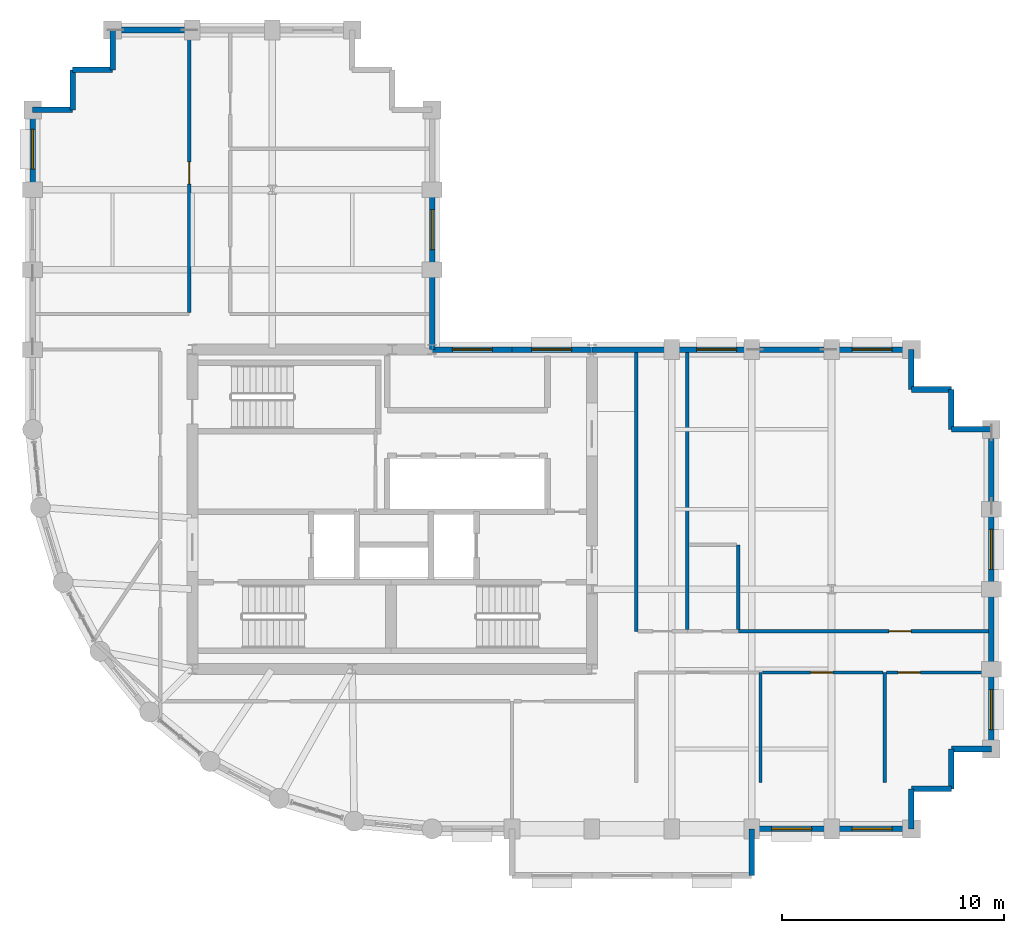
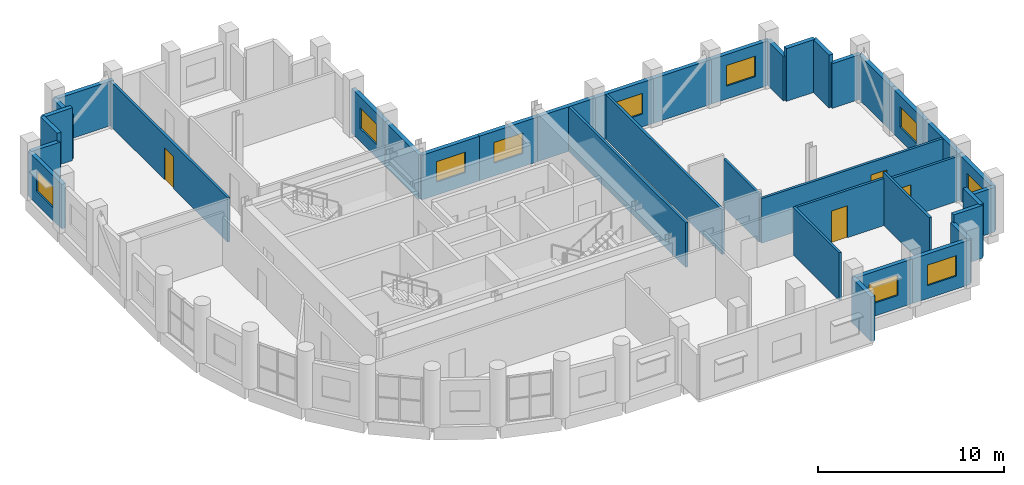
# One storey, part 8 of 11: 38 walls, 10 windows, 4 doors, 14 openings.
"""IFC4 building model written with IfcOpenShell, lengths in metres."""

from ifc_helpers import new_model, si_unit, direction, frame, frame_2d, origin, place, context, subcontext, project, spatial, rectangle, extrude, material, layer, layer_set, type_object, element, fill, save


model = new_model("IFC4")

# Units and contexts
model_context = context("Model", 3, precision=1e-05, world=origin(), true_north=direction((0.0, 1.0)))
body_context = subcontext(model_context, "Body", "Model", "MODEL_VIEW")
ifc_project = project(units=[si_unit("LENGTHUNIT", "METRE"), si_unit("AREAUNIT", "SQUARE_METRE"), si_unit("VOLUMEUNIT", "CUBIC_METRE"), si_unit("PLANEANGLEUNIT", "RADIAN"), si_unit("MASSUNIT", "GRAM", prefix="KILO")], contexts=[model_context])

# Site, building, storey
site_placement = place(None, origin())
site = spatial("IfcSite", under=ifc_project, at=site_placement, CompositionType="ELEMENT")
building_placement = place(site_placement, origin())
building = spatial("IfcBuilding", under=site, at=building_placement, Name="Solnavia Interchange Tower", CompositionType="ELEMENT")
storey_placement = place(building_placement, frame((0.0, 0.0, 205.199951171875)))
storey = spatial("IfcBuildingStorey", under=building, at=storey_placement, Name="L51", CompositionType="ELEMENT", Elevation=205.199951171875)

# Wall
ifc_material_1 = material(Name="Concrete C40/50", Category="concrete")
ifc_layer_1 = layer(ifc_material_1, 0.25)
ifc_layer_set_1 = layer_set([ifc_layer_1], Name="Concrete C40/50")
wall_type_1 = type_object("IfcWallType", Name="Wall-ExtSpandrel-250", PredefinedType="STANDARD", material=ifc_layer_set_1)
wall_1_placement = place(storey_placement, frame((39.60009765625, 3.60009765625, 0.0), z_axis=(0.0, 0.0, 1.0), x_axis=(0.0, -1.0, 0.0)))
element("IfcWall", 1, at=wall_1_placement, inside=storey, type_object=wall_type_1, Name="EXW-L51-06 Exterior precast spandrel wall", PredefinedType="STANDARD", context=body_context, shape_type="SweptSolid", body=[
    extrude(rectangle(XDim=2.10009765625, YDim=0.25, at=frame_2d((1.050048828125, 0.0))), origin(), (0.0, 0.0, 1.0), 2.929931640625),
])

# Wall, opening, window
wall_2_placement = place(storey_placement, frame((43.199951171875, 3.60009765625, 0.0), z_axis=(0.0, 0.0, 1.0), x_axis=(-1.0, 0.0, 0.0)))
wall_2 = element("IfcWall", 2, at=wall_2_placement, inside=storey, type_object=wall_type_1, Name="EXW-L51-07 Exterior precast spandrel wall", PredefinedType="STANDARD", context=body_context, shape_type="SweptSolid", body=[
    extrude(rectangle(XDim=3.599853515625, YDim=0.25, at=frame_2d((1.7998046875, 0.0))), origin(), (0.0, 0.0, 1.0), 2.929931640625),
])
opening_1_placement = place(wall_2_placement, frame((0.89990234375, 0.0, 0.85009765625)))
opening_1 = element("IfcOpeningElement", 3, at=opening_1_placement, cuts=wall_2, Name="Opening WIN-02", PredefinedType="OPENING", context=body_context, shape_type="SweptSolid", body=[
    extrude(rectangle(XDim=1.800048828125, YDim=1.35009765625, at=frame_2d((0.89990234375, 0.675048828125))), frame((0.0, 0.135009765625, 0.0), z_axis=(0.0, -1.0, 0.0), x_axis=(1.0, 0.0, 0.0)), (0.0, 0.0, 1.0), 0.27001953125),
])
ifc_material_2 = material(Name="Thermal-Break Aluminium & Low-E Glass", Category="aluminium")
window_type = type_object("IfcWindowType", Name="Window-Ribbon-1800x1350", PartitioningType="SINGLE_PANEL", PredefinedType="WINDOW", material=ifc_material_2)
window_1_placement = place(opening_1_placement, origin())
window_1 = element("IfcWindow", 4, at=window_1_placement, inside=storey, type_object=window_type, Name="WIN-L51-07 Facade ribbon window", OverallHeight=1.35009765625, OverallWidth=1.800048828125, PartitioningType="SINGLE_PANEL", PredefinedType="WINDOW", context=body_context, shape_type="SweptSolid", body=[
    extrude(rectangle(XDim=1.800048828125, YDim=1.35009765625, at=frame_2d((0.89990234375, 0.675048828125))), frame((0.0, 0.030029296875, 0.0), z_axis=(0.0, -1.0, 0.0), x_axis=(1.0, 0.0, 0.0)), (0.0, 0.0, 1.0), 0.06005859375),
])
fill(opening_1, window_1)

wall_3_placement = place(storey_placement, frame((46.800048828125, 3.60009765625, 0.0), z_axis=(0.0, 0.0, 1.0), x_axis=(-1.0, 0.0, 0.0)))
wall_3 = element("IfcWall", 5, at=wall_3_placement, inside=storey, type_object=wall_type_1, Name="EXW-L51-08 Exterior precast spandrel wall", PredefinedType="STANDARD", context=body_context, shape_type="SweptSolid", body=[
    extrude(rectangle(XDim=3.60009765625, YDim=0.25, at=frame_2d((1.800048828125, 0.0))), origin(), (0.0, 0.0, 1.0), 2.929931640625),
])
opening_2_placement = place(wall_3_placement, frame((0.875, 0.0, 0.85009765625)))
opening_2 = element("IfcOpeningElement", 6, at=opening_2_placement, cuts=wall_3, Name="Opening WIN-02", PredefinedType="OPENING", context=body_context, shape_type="SweptSolid", body=[
    extrude(rectangle(XDim=1.800048828125, YDim=1.35009765625, at=frame_2d((0.89990234375, 0.675048828125))), frame((0.0, 0.135009765625, 0.0), z_axis=(0.0, -1.0, 0.0), x_axis=(1.0, 0.0, 0.0)), (0.0, 0.0, 1.0), 0.27001953125),
])
window_2_placement = place(opening_2_placement, origin())
window_2 = element("IfcWindow", 7, at=window_2_placement, inside=storey, type_object=window_type, Name="WIN-L51-08 Facade ribbon window", OverallHeight=1.35009765625, OverallWidth=1.800048828125, PartitioningType="SINGLE_PANEL", PredefinedType="WINDOW", context=body_context, shape_type="SweptSolid", body=[
    extrude(rectangle(XDim=1.800048828125, YDim=1.35009765625, at=frame_2d((0.89990234375, 0.675048828125))), frame((0.0, 0.030029296875, 0.0), z_axis=(0.0, -1.0, 0.0), x_axis=(1.0, 0.0, 0.0)), (0.0, 0.0, 1.0), 0.06005859375),
])
fill(opening_2, window_2)

# Walls
wall_4_placement = place(storey_placement, frame((46.800048828125, 5.39990234375, 0.0), z_axis=(0.0, 0.0, 1.0), x_axis=(0.0, -1.0, 0.0)))
element("IfcWall", 8, at=wall_4_placement, inside=storey, type_object=wall_type_1, Name="EXW-L51-09 Exterior precast spandrel wall", PredefinedType="STANDARD", context=body_context, shape_type="SweptSolid", body=[
    extrude(rectangle(XDim=1.7998046875, YDim=0.25, at=frame_2d((0.89990234375, 0.0))), origin(), (0.0, 0.0, 1.0), 2.929931640625),
])
for number, where, z_axis, x_axis, name in (
    (9, (48.60009765625, 5.39990234375, 0.0), (0.0, 0.0, 1.0), (-1.0, 0.0, 0.0), "EXW-L51-10 Exterior precast spandrel wall"),
    (10, (48.60009765625, 7.199951171875, 0.0), (0.0, 0.0, 1.0), (0.0, -1.0, 0.0), "EXW-L51-11 Exterior precast spandrel wall"),
):
    element("IfcWall", number, at=place(storey_placement, frame(where, z_axis=z_axis, x_axis=x_axis)), inside=storey, type_object=wall_type_1, Name=name, PredefinedType="STANDARD", context=body_context, shape_type="SweptSolid", body=[
        extrude(rectangle(XDim=1.800048828125, YDim=0.25, at=frame_2d((0.89990234375, 0.0))), origin(), (0.0, 0.0, 1.0), 3.465087890625),
    ])
wall_5_placement = place(storey_placement, frame((50.39990234375, 7.199951171875, 0.0), z_axis=(0.0, 0.0, 1.0), x_axis=(-1.0, 0.0, 0.0)))
element("IfcWall", 11, at=wall_5_placement, inside=storey, type_object=wall_type_1, Name="EXW-L51-12 Exterior precast spandrel wall", PredefinedType="STANDARD", context=body_context, shape_type="SweptSolid", body=[
    extrude(rectangle(XDim=1.7998046875, YDim=0.25, at=frame_2d((0.89990234375, 0.0))), origin(), (0.0, 0.0, 1.0), 2.929931640625),
])

# Wall, opening, window
wall_6_placement = place(storey_placement, frame((50.39990234375, 10.800048828125, 0.0), z_axis=(0.0, 0.0, 1.0), x_axis=(0.0, -1.0, 0.0)))
wall_6 = element("IfcWall", 12, at=wall_6_placement, inside=storey, type_object=wall_type_1, Name="EXW-L51-13 Exterior precast spandrel wall", PredefinedType="STANDARD", context=body_context, shape_type="SweptSolid", body=[
    extrude(rectangle(XDim=3.60009765625, YDim=0.25, at=frame_2d((1.800048828125, 0.0))), origin(), (0.0, 0.0, 1.0), 2.929931640625),
])
opening_3_placement = place(wall_6_placement, frame((0.925048828125, 0.0, 0.85009765625)))
opening_3 = element("IfcOpeningElement", 13, at=opening_3_placement, cuts=wall_6, Name="Opening WIN-02", PredefinedType="OPENING", context=body_context, shape_type="SweptSolid", body=[
    extrude(rectangle(XDim=1.800048828125, YDim=1.35009765625, at=frame_2d((0.89990234375, 0.675048828125))), frame((0.0, 0.135009765625, 0.0), z_axis=(0.0, -1.0, 0.0), x_axis=(1.0, 0.0, 0.0)), (0.0, 0.0, 1.0), 0.27001953125),
])
window_3_placement = place(opening_3_placement, origin())
window_3 = element("IfcWindow", 14, at=window_3_placement, inside=storey, type_object=window_type, Name="WIN-L51-13 Facade ribbon window", OverallHeight=1.35009765625, OverallWidth=1.800048828125, PartitioningType="SINGLE_PANEL", PredefinedType="WINDOW", context=body_context, shape_type="SweptSolid", body=[
    extrude(rectangle(XDim=1.800048828125, YDim=1.35009765625, at=frame_2d((0.89990234375, 0.675048828125))), frame((0.0, 0.030029296875, 0.0), z_axis=(0.0, -1.0, 0.0), x_axis=(1.0, 0.0, 0.0)), (0.0, 0.0, 1.0), 0.06005859375),
])
fill(opening_3, window_3)

# Wall
wall_7_placement = place(storey_placement, frame((50.39990234375, 14.39990234375, 0.0), z_axis=(0.0, 0.0, 1.0), x_axis=(0.0, -1.0, 0.0)))
element("IfcWall", 15, at=wall_7_placement, inside=storey, type_object=wall_type_1, Name="EXW-L51-14 Exterior precast spandrel wall", PredefinedType="STANDARD", context=body_context, shape_type="SweptSolid", body=[
    extrude(rectangle(XDim=3.599853515625, YDim=0.25, at=frame_2d((1.7998046875, 0.0))), origin(), (0.0, 0.0, 1.0), 2.929931640625),
])

# Wall, opening, window
wall_8_placement = place(storey_placement, frame((50.39990234375, 18.0, 0.0), z_axis=(0.0, 0.0, 1.0), x_axis=(0.0, -1.0, 0.0)))
wall_8 = element("IfcWall", 16, at=wall_8_placement, inside=storey, type_object=wall_type_1, Name="EXW-L51-15 Exterior precast spandrel wall", PredefinedType="STANDARD", context=body_context, shape_type="SweptSolid", body=[
    extrude(rectangle(XDim=3.60009765625, YDim=0.25, at=frame_2d((1.800048828125, 0.0))), origin(), (0.0, 0.0, 1.0), 2.929931640625),
])
opening_4_placement = place(wall_8_placement, frame((0.89990234375, 0.0, 0.85009765625)))
opening_4 = element("IfcOpeningElement", 17, at=opening_4_placement, cuts=wall_8, Name="Opening WIN-02", PredefinedType="OPENING", context=body_context, shape_type="SweptSolid", body=[
    extrude(rectangle(XDim=1.800048828125, YDim=1.35009765625, at=frame_2d((0.89990234375, 0.675048828125))), frame((0.0, 0.135009765625, 0.0), z_axis=(0.0, -1.0, 0.0), x_axis=(1.0, 0.0, 0.0)), (0.0, 0.0, 1.0), 0.27001953125),
])
window_4_placement = place(opening_4_placement, origin())
window_4 = element("IfcWindow", 18, at=window_4_placement, inside=storey, type_object=window_type, Name="WIN-L51-15 Facade ribbon window", OverallHeight=1.35009765625, OverallWidth=1.800048828125, PartitioningType="SINGLE_PANEL", PredefinedType="WINDOW", context=body_context, shape_type="SweptSolid", body=[
    extrude(rectangle(XDim=1.800048828125, YDim=1.35009765625, at=frame_2d((0.89990234375, 0.675048828125))), frame((0.0, 0.030029296875, 0.0), z_axis=(0.0, -1.0, 0.0), x_axis=(1.0, 0.0, 0.0)), (0.0, 0.0, 1.0), 0.06005859375),
])
fill(opening_4, window_4)

# Walls
wall_9_placement = place(storey_placement, frame((50.39990234375, 21.60009765625, 0.0), z_axis=(0.0, 0.0, 1.0), x_axis=(0.0, -1.0, 0.0)))
element("IfcWall", 19, at=wall_9_placement, inside=storey, type_object=wall_type_1, Name="EXW-L51-16 Exterior precast spandrel wall", PredefinedType="STANDARD", context=body_context, shape_type="SweptSolid", body=[
    extrude(rectangle(XDim=3.60009765625, YDim=0.25, at=frame_2d((1.800048828125, 0.0))), origin(), (0.0, 0.0, 1.0), 2.929931640625),
])
wall_10_placement = place(storey_placement, frame((48.60009765625, 21.60009765625, 0.0), z_axis=(0.0, 0.0, 1.0), x_axis=(1.0, 0.0, 0.0)))
element("IfcWall", 20, at=wall_10_placement, inside=storey, type_object=wall_type_1, Name="EXW-L51-17 Exterior precast spandrel wall", PredefinedType="STANDARD", context=body_context, shape_type="SweptSolid", body=[
    extrude(rectangle(XDim=1.7998046875, YDim=0.25, at=frame_2d((0.89990234375, 0.0))), origin(), (0.0, 0.0, 1.0), 2.929931640625),
])
wall_11_placement = place(storey_placement, frame((48.60009765625, 23.39990234375, 0.0), z_axis=(0.0, 0.0, 1.0), x_axis=(0.0, -1.0, 0.0)))
element("IfcWall", 21, at=wall_11_placement, inside=storey, type_object=wall_type_1, Name="EXW-L51-18 Exterior precast spandrel wall", PredefinedType="STANDARD", context=body_context, shape_type="SweptSolid", body=[
    extrude(rectangle(XDim=1.7998046875, YDim=0.25, at=frame_2d((0.89990234375, 0.0))), origin(), (0.0, 0.0, 1.0), 3.465087890625),
])
wall_12_placement = place(storey_placement, frame((46.800048828125, 23.39990234375, 0.0), z_axis=(0.0, 0.0, 1.0), x_axis=(1.0, 0.0, 0.0)))
element("IfcWall", 22, at=wall_12_placement, inside=storey, type_object=wall_type_1, Name="EXW-L51-19 Exterior precast spandrel wall", PredefinedType="STANDARD", context=body_context, shape_type="SweptSolid", body=[
    extrude(rectangle(XDim=1.800048828125, YDim=0.25, at=frame_2d((0.89990234375, 0.0))), origin(), (0.0, 0.0, 1.0), 3.465087890625),
])
wall_13_placement = place(storey_placement, frame((46.800048828125, 25.199951171875, 0.0), z_axis=(0.0, 0.0, 1.0), x_axis=(0.0, -1.0, 0.0)))
element("IfcWall", 23, at=wall_13_placement, inside=storey, type_object=wall_type_1, Name="EXW-L51-20 Exterior precast spandrel wall", PredefinedType="STANDARD", context=body_context, shape_type="SweptSolid", body=[
    extrude(rectangle(XDim=1.800048828125, YDim=0.25, at=frame_2d((0.89990234375, 0.0))), origin(), (0.0, 0.0, 1.0), 2.929931640625),
])

# Wall, opening, window
wall_14_placement = place(storey_placement, frame((43.199951171875, 25.199951171875, 0.0), z_axis=(0.0, 0.0, 1.0), x_axis=(1.0, 0.0, 0.0)))
wall_14 = element("IfcWall", 24, at=wall_14_placement, inside=storey, type_object=wall_type_1, Name="EXW-L51-21 Exterior precast spandrel wall", PredefinedType="STANDARD", context=body_context, shape_type="SweptSolid", body=[
    extrude(rectangle(XDim=3.60009765625, YDim=0.25, at=frame_2d((1.800048828125, 0.0))), origin(), (0.0, 0.0, 1.0), 2.929931640625),
])
opening_5_placement = place(wall_14_placement, frame((0.925048828125, 0.0, 0.85009765625)))
opening_5 = element("IfcOpeningElement", 25, at=opening_5_placement, cuts=wall_14, Name="Opening WIN-02", PredefinedType="OPENING", context=body_context, shape_type="SweptSolid", body=[
    extrude(rectangle(XDim=1.800048828125, YDim=1.35009765625, at=frame_2d((0.89990234375, 0.675048828125))), frame((0.0, 0.135009765625, 0.0), z_axis=(0.0, -1.0, 0.0), x_axis=(1.0, 0.0, 0.0)), (0.0, 0.0, 1.0), 0.27001953125),
])
window_5_placement = place(opening_5_placement, origin())
window_5 = element("IfcWindow", 26, at=window_5_placement, inside=storey, type_object=window_type, Name="WIN-L51-21 Facade ribbon window", OverallHeight=1.35009765625, OverallWidth=1.800048828125, PartitioningType="SINGLE_PANEL", PredefinedType="WINDOW", context=body_context, shape_type="SweptSolid", body=[
    extrude(rectangle(XDim=1.800048828125, YDim=1.35009765625, at=frame_2d((0.89990234375, 0.675048828125))), frame((0.0, 0.030029296875, 0.0), z_axis=(0.0, -1.0, 0.0), x_axis=(1.0, 0.0, 0.0)), (0.0, 0.0, 1.0), 0.06005859375),
])
fill(opening_5, window_5)

# Wall
wall_15_placement = place(storey_placement, frame((39.60009765625, 25.199951171875, 0.0), z_axis=(0.0, 0.0, 1.0), x_axis=(1.0, 0.0, 0.0)))
element("IfcWall", 27, at=wall_15_placement, inside=storey, type_object=wall_type_1, Name="EXW-L51-22 Exterior precast spandrel wall", PredefinedType="STANDARD", context=body_context, shape_type="SweptSolid", body=[
    extrude(rectangle(XDim=3.599853515625, YDim=0.25, at=frame_2d((1.7998046875, 0.0))), origin(), (0.0, 0.0, 1.0), 2.929931640625),
])

# Wall, opening, window
wall_16_placement = place(storey_placement, frame((36.0, 25.199951171875, 0.0), z_axis=(0.0, 0.0, 1.0), x_axis=(1.0, 0.0, 0.0)))
wall_16 = element("IfcWall", 28, at=wall_16_placement, inside=storey, type_object=wall_type_1, Name="EXW-L51-23 Exterior precast spandrel wall", PredefinedType="STANDARD", context=body_context, shape_type="SweptSolid", body=[
    extrude(rectangle(XDim=3.60009765625, YDim=0.25, at=frame_2d((1.800048828125, 0.0))), origin(), (0.0, 0.0, 1.0), 2.929931640625),
])
opening_6_placement = place(wall_16_placement, frame((1.1201171875, 0.0, 0.85009765625)))
opening_6 = element("IfcOpeningElement", 29, at=opening_6_placement, cuts=wall_16, Name="Opening WIN-02", PredefinedType="OPENING", context=body_context, shape_type="SweptSolid", body=[
    extrude(rectangle(XDim=1.800048828125, YDim=1.35009765625, at=frame_2d((0.89990234375, 0.675048828125))), frame((0.0, 0.135009765625, 0.0), z_axis=(0.0, -1.0, 0.0), x_axis=(1.0, 0.0, 0.0)), (0.0, 0.0, 1.0), 0.27001953125),
])
window_6_placement = place(opening_6_placement, origin())
window_6 = element("IfcWindow", 30, at=window_6_placement, inside=storey, type_object=window_type, Name="WIN-L51-23 Facade ribbon window", OverallHeight=1.35009765625, OverallWidth=1.800048828125, PartitioningType="SINGLE_PANEL", PredefinedType="WINDOW", context=body_context, shape_type="SweptSolid", body=[
    extrude(rectangle(XDim=1.800048828125, YDim=1.35009765625, at=frame_2d((0.89990234375, 0.675048828125))), frame((0.0, 0.030029296875, 0.0), z_axis=(0.0, -1.0, 0.0), x_axis=(1.0, 0.0, 0.0)), (0.0, 0.0, 1.0), 0.06005859375),
])
fill(opening_6, window_6)

# Wall
wall_17_placement = place(storey_placement, frame((32.39990234375, 25.199951171875, 0.0), z_axis=(0.0, 0.0, 1.0), x_axis=(1.0, 0.0, 0.0)))
element("IfcWall", 31, at=wall_17_placement, inside=storey, type_object=wall_type_1, Name="EXW-L51-24 Exterior precast spandrel wall", PredefinedType="STANDARD", context=body_context, shape_type="SweptSolid", body=[
    extrude(rectangle(XDim=3.60009765625, YDim=0.25, at=frame_2d((1.800048828125, 0.0))), origin(), (0.0, 0.0, 1.0), 2.929931640625),
])

# Wall, opening, window
wall_18_placement = place(storey_placement, frame((28.800048828125, 25.199951171875, 0.0), z_axis=(0.0, 0.0, 1.0), x_axis=(1.0, 0.0, 0.0)))
wall_18 = element("IfcWall", 32, at=wall_18_placement, inside=storey, type_object=wall_type_1, Name="EXW-L51-25 Exterior precast spandrel wall", PredefinedType="STANDARD", context=body_context, shape_type="SweptSolid", body=[
    extrude(rectangle(XDim=3.599853515625, YDim=0.25, at=frame_2d((1.7998046875, 0.0))), origin(), (0.0, 0.0, 1.0), 2.929931640625),
])
opening_7_placement = place(wall_18_placement, frame((0.884033203125, 0.0, 0.85009765625)))
opening_7 = element("IfcOpeningElement", 33, at=opening_7_placement, cuts=wall_18, Name="Opening WIN-02", PredefinedType="OPENING", context=body_context, shape_type="SweptSolid", body=[
    extrude(rectangle(XDim=1.800048828125, YDim=1.35009765625, at=frame_2d((0.89990234375, 0.675048828125))), frame((0.0, 0.135009765625, 0.0), z_axis=(0.0, -1.0, 0.0), x_axis=(1.0, 0.0, 0.0)), (0.0, 0.0, 1.0), 0.27001953125),
])
window_7_placement = place(opening_7_placement, origin())
window_7 = element("IfcWindow", 34, at=window_7_placement, inside=storey, type_object=window_type, Name="WIN-L51-25 Facade ribbon window", OverallHeight=1.35009765625, OverallWidth=1.800048828125, PartitioningType="SINGLE_PANEL", PredefinedType="WINDOW", context=body_context, shape_type="SweptSolid", body=[
    extrude(rectangle(XDim=1.800048828125, YDim=1.35009765625, at=frame_2d((0.89990234375, 0.675048828125))), frame((0.0, 0.030029296875, 0.0), z_axis=(0.0, -1.0, 0.0), x_axis=(1.0, 0.0, 0.0)), (0.0, 0.0, 1.0), 0.06005859375),
])
fill(opening_7, window_7)

wall_19_placement = place(storey_placement, frame((25.199951171875, 25.199951171875, 0.0), z_axis=(0.0, 0.0, 1.0), x_axis=(1.0, 0.0, 0.0)))
wall_19 = element("IfcWall", 35, at=wall_19_placement, inside=storey, type_object=wall_type_1, Name="EXW-L51-26 Exterior precast spandrel wall", PredefinedType="STANDARD", context=body_context, shape_type="SweptSolid", body=[
    extrude(rectangle(XDim=3.60009765625, YDim=0.25, at=frame_2d((1.800048828125, 0.0))), origin(), (0.0, 0.0, 1.0), 2.929931640625),
])
opening_8_placement = place(wall_19_placement, frame((0.916015625, 0.0, 0.85009765625)))
opening_8 = element("IfcOpeningElement", 36, at=opening_8_placement, cuts=wall_19, Name="Opening WIN-02", PredefinedType="OPENING", context=body_context, shape_type="SweptSolid", body=[
    extrude(rectangle(XDim=1.800048828125, YDim=1.35009765625, at=frame_2d((0.89990234375, 0.675048828125))), frame((0.0, 0.135009765625, 0.0), z_axis=(0.0, -1.0, 0.0), x_axis=(1.0, 0.0, 0.0)), (0.0, 0.0, 1.0), 0.27001953125),
])
window_8_placement = place(opening_8_placement, origin())
window_8 = element("IfcWindow", 37, at=window_8_placement, inside=storey, type_object=window_type, Name="WIN-L51-26 Facade ribbon window", OverallHeight=1.35009765625, OverallWidth=1.800048828125, PartitioningType="SINGLE_PANEL", PredefinedType="WINDOW", context=body_context, shape_type="SweptSolid", body=[
    extrude(rectangle(XDim=1.800048828125, YDim=1.35009765625, at=frame_2d((0.89990234375, 0.675048828125))), frame((0.0, 0.030029296875, 0.0), z_axis=(0.0, -1.0, 0.0), x_axis=(1.0, 0.0, 0.0)), (0.0, 0.0, 1.0), 0.06005859375),
])
fill(opening_8, window_8)

# Wall
wall_20_placement = place(storey_placement, frame((25.199951171875, 25.199951171875, 0.0), z_axis=(0.0, 0.0, 1.0), x_axis=(0.0, 1.0, 0.0)))
element("IfcWall", 38, at=wall_20_placement, inside=storey, type_object=wall_type_1, Name="EXW-L51-27 Exterior precast spandrel wall", PredefinedType="STANDARD", context=body_context, shape_type="SweptSolid", body=[
    extrude(rectangle(XDim=3.60009765625, YDim=0.25, at=frame_2d((1.800048828125, 0.0))), origin(), (0.0, 0.0, 1.0), 2.929931640625),
])

# Wall, opening, window
wall_21_placement = place(storey_placement, frame((25.199951171875, 28.800048828125, 0.0), z_axis=(0.0, 0.0, 1.0), x_axis=(0.0, 1.0, 0.0)))
wall_21 = element("IfcWall", 39, at=wall_21_placement, inside=storey, type_object=wall_type_1, Name="EXW-L51-28 Exterior precast spandrel wall", PredefinedType="STANDARD", context=body_context, shape_type="SweptSolid", body=[
    extrude(rectangle(XDim=3.599853515625, YDim=0.25, at=frame_2d((1.7998046875, 0.0))), origin(), (0.0, 0.0, 1.0), 2.929931640625),
])
opening_9_placement = place(wall_21_placement, frame((0.89990234375, 0.0, 0.85009765625)))
opening_9 = element("IfcOpeningElement", 40, at=opening_9_placement, cuts=wall_21, Name="Opening WIN-02", PredefinedType="OPENING", context=body_context, shape_type="SweptSolid", body=[
    extrude(rectangle(XDim=1.800048828125, YDim=1.35009765625, at=frame_2d((0.89990234375, 0.675048828125))), frame((0.0, 0.135009765625, 0.0), z_axis=(0.0, -1.0, 0.0), x_axis=(1.0, 0.0, 0.0)), (0.0, 0.0, 1.0), 0.27001953125),
])
window_9_placement = place(opening_9_placement, origin())
window_9 = element("IfcWindow", 41, at=window_9_placement, inside=storey, type_object=window_type, Name="WIN-L51-28 Facade ribbon window", OverallHeight=1.35009765625, OverallWidth=1.800048828125, PartitioningType="SINGLE_PANEL", PredefinedType="WINDOW", context=body_context, shape_type="SweptSolid", body=[
    extrude(rectangle(XDim=1.800048828125, YDim=1.35009765625, at=frame_2d((0.89990234375, 0.675048828125))), frame((0.0, 0.030029296875, 0.0), z_axis=(0.0, -1.0, 0.0), x_axis=(1.0, 0.0, 0.0)), (0.0, 0.0, 1.0), 0.06005859375),
])
fill(opening_9, window_9)

# Walls
wall_22_placement = place(storey_placement, frame((10.800048828125, 39.60009765625, 0.0), z_axis=(0.0, 0.0, 1.0), x_axis=(1.0, 0.0, 0.0)))
element("IfcWall", 42, at=wall_22_placement, inside=storey, type_object=wall_type_1, Name="EXW-L51-36 Exterior precast spandrel wall", PredefinedType="STANDARD", context=body_context, shape_type="SweptSolid", body=[
    extrude(rectangle(XDim=3.599853515625, YDim=0.25, at=frame_2d((1.7998046875, 0.0))), origin(), (0.0, 0.0, 1.0), 2.929931640625),
])
wall_23_placement = place(storey_placement, frame((10.800048828125, 37.800048828125, 0.0), z_axis=(0.0, 0.0, 1.0), x_axis=(0.0, 1.0, 0.0)))
element("IfcWall", 43, at=wall_23_placement, inside=storey, type_object=wall_type_1, Name="EXW-L51-37 Exterior precast spandrel wall", PredefinedType="STANDARD", context=body_context, shape_type="SweptSolid", body=[
    extrude(rectangle(XDim=1.800048828125, YDim=0.25, at=frame_2d((0.89990234375, 0.0))), origin(), (0.0, 0.0, 1.0), 2.929931640625),
])
for number, where, z_axis, x_axis, name in (
    (44, (9.0, 37.800048828125, 0.0), (0.0, 0.0, 1.0), (1.0, 0.0, 0.0), "EXW-L51-38 Exterior precast spandrel wall"),
    (45, (9.0, 36.0, 0.0), (0.0, 0.0, 1.0), (0.0, 1.0, 0.0), "EXW-L51-39 Exterior precast spandrel wall"),
):
    element("IfcWall", number, at=place(storey_placement, frame(where, z_axis=z_axis, x_axis=x_axis)), inside=storey, type_object=wall_type_1, Name=name, PredefinedType="STANDARD", context=body_context, shape_type="SweptSolid", body=[
        extrude(rectangle(XDim=1.800048828125, YDim=0.25, at=frame_2d((0.89990234375, 0.0))), origin(), (0.0, 0.0, 1.0), 3.465087890625),
    ])
wall_24_placement = place(storey_placement, frame((7.199951171875, 36.0, 0.0), z_axis=(0.0, 0.0, 1.0), x_axis=(1.0, 0.0, 0.0)))
element("IfcWall", 46, at=wall_24_placement, inside=storey, type_object=wall_type_1, Name="EXW-L51-40 Exterior precast spandrel wall", PredefinedType="STANDARD", context=body_context, shape_type="SweptSolid", body=[
    extrude(rectangle(XDim=1.800048828125, YDim=0.25, at=frame_2d((0.89990234375, 0.0))), origin(), (0.0, 0.0, 1.0), 2.929931640625),
])

# Wall, opening, window
wall_25_placement = place(storey_placement, frame((7.199951171875, 32.39990234375, 0.0), z_axis=(0.0, 0.0, 1.0), x_axis=(0.0, 1.0, 0.0)))
wall_25 = element("IfcWall", 47, at=wall_25_placement, inside=storey, type_object=wall_type_1, Name="EXW-L51-41 Exterior precast spandrel wall", PredefinedType="STANDARD", context=body_context, shape_type="SweptSolid", body=[
    extrude(rectangle(XDim=3.60009765625, YDim=0.25, at=frame_2d((1.800048828125, 0.0))), origin(), (0.0, 0.0, 1.0), 2.929931640625),
])
opening_10_placement = place(wall_25_placement, frame((0.925048828125, 0.0, 0.85009765625)))
opening_10 = element("IfcOpeningElement", 48, at=opening_10_placement, cuts=wall_25, Name="Opening WIN-02", PredefinedType="OPENING", context=body_context, shape_type="SweptSolid", body=[
    extrude(rectangle(XDim=1.800048828125, YDim=1.35009765625, at=frame_2d((0.89990234375, 0.675048828125))), frame((0.0, 0.135009765625, 0.0), z_axis=(0.0, -1.0, 0.0), x_axis=(1.0, 0.0, 0.0)), (0.0, 0.0, 1.0), 0.27001953125),
])
window_10_placement = place(opening_10_placement, origin())
window_10 = element("IfcWindow", 49, at=window_10_placement, inside=storey, type_object=window_type, Name="WIN-L51-41 Facade ribbon window", OverallHeight=1.35009765625, OverallWidth=1.800048828125, PartitioningType="SINGLE_PANEL", PredefinedType="WINDOW", context=body_context, shape_type="SweptSolid", body=[
    extrude(rectangle(XDim=1.800048828125, YDim=1.35009765625, at=frame_2d((0.89990234375, 0.675048828125))), frame((0.0, 0.030029296875, 0.0), z_axis=(0.0, -1.0, 0.0), x_axis=(1.0, 0.0, 0.0)), (0.0, 0.0, 1.0), 0.06005859375),
])
fill(opening_10, window_10)

# Walls
ifc_material_3 = material(Name="Gypsum Plasterboard & Steel Stud", Category="steel")
ifc_layer_2 = layer(ifc_material_3, 0.14990234375)
ifc_layer_set_2 = layer_set([ifc_layer_2], Name="Gypsum Plasterboard & Steel Stud")
wall_type_2 = type_object("IfcWallType", Name="Wall-Partition-150", PredefinedType="PARTITIONING", material=ifc_layer_set_2)
wall_26_placement = place(storey_placement, frame((40.0, 5.699951171875, 0.0), z_axis=(0.0, 0.0, 1.0), x_axis=(0.0, 1.0, 0.0)))
element("IfcWall", 50, at=wall_26_placement, inside=storey, type_object=wall_type_2, Name="PTW-L51-16 Interior partition wall", PredefinedType="PARTITIONING", context=body_context, shape_type="SweptSolid", body=[
    extrude(rectangle(XDim=4.949951171875, YDim=0.14990234375, at=frame_2d((2.47509765625, 0.0))), origin(), (0.0, 0.0, 1.0), 3.130126953125),
])
wall_27_placement = place(storey_placement, frame((45.60009765625, 5.699951171875, 0.0), z_axis=(0.0, 0.0, 1.0), x_axis=(0.0, 1.0, 0.0)))
element("IfcWall", 51, at=wall_27_placement, inside=storey, type_object=wall_type_2, Name="PTW-L51-18 Interior partition wall", PredefinedType="PARTITIONING", context=body_context, shape_type="SweptSolid", body=[
    extrude(rectangle(XDim=4.949951171875, YDim=0.14990234375, at=frame_2d((2.47509765625, 0.0))), origin(), (0.0, 0.0, 1.0), 3.465087890625),
])

# Wall, opening, door
wall_28_placement = place(storey_placement, frame((40.0791015625, 10.64990234375, 0.0), z_axis=(0.0, 0.0, 1.0), x_axis=(1.0, 0.0, 0.0)))
wall_28 = element("IfcWall", 52, at=wall_28_placement, inside=storey, type_object=wall_type_2, Name="PTW-L51-19 Interior partition wall", PredefinedType="PARTITIONING", context=body_context, shape_type="SweptSolid", body=[
    extrude(rectangle(XDim=5.44189453125, YDim=0.14990234375, at=frame_2d((2.720947265625, 0.0))), origin(), (0.0, 0.0, 1.0), 3.10009765625),
])
opening_11_placement = place(wall_28_placement, frame((2.180908203125, 0.0, 0.0)))
opening_11 = element("IfcOpeningElement", 53, at=opening_11_placement, cuts=wall_28, Name="Opening DR-07", PredefinedType="OPENING", context=body_context, shape_type="SweptSolid", body=[
    extrude(rectangle(XDim=1.0, YDim=2.10009765625, at=frame_2d((0.5, 1.050048828125))), frame((0.0, 0.0849609375, 0.0), z_axis=(0.0, -1.0, 0.0), x_axis=(1.0, 0.0, 0.0)), (0.0, 0.0, 1.0), 0.169921875),
])
ifc_material_4 = material(Name="Timber & Acoustic Glazed Office Door", Category="wood")
door_type = type_object("IfcDoorType", Name="Door-Office-1000x2100", OperationType="SINGLE_SWING_RIGHT", PredefinedType="DOOR", material=ifc_material_4)
door_1_placement = place(opening_11_placement, origin())
door_1 = element("IfcDoor", 54, at=door_1_placement, inside=storey, type_object=door_type, Name="DR-L51-08 Interior room door", OperationType="SINGLE_SWING_RIGHT", OverallHeight=2.10009765625, OverallWidth=1.0, PredefinedType="DOOR", context=body_context, shape_type="SweptSolid", body=[
    extrude(rectangle(XDim=1.0, YDim=2.10009765625, at=frame_2d((0.5, 1.050048828125))), frame((0.0, 0.02490234375, 0.0), z_axis=(0.0, -1.0, 0.0), x_axis=(1.0, 0.0, 0.0)), (0.0, 0.0, 1.0), 0.050048828125),
])
fill(opening_11, door_1)

wall_29_placement = place(storey_placement, frame((45.678955078125, 10.64990234375, 0.0), z_axis=(0.0, 0.0, 1.0), x_axis=(1.0, 0.0, 0.0)))
wall_29 = element("IfcWall", 55, at=wall_29_placement, inside=storey, type_object=wall_type_2, Name="PTW-L51-20 Interior partition wall", PredefinedType="PARTITIONING", context=body_context, shape_type="SweptSolid", body=[
    extrude(rectangle(XDim=4.592041015625, YDim=0.14990234375, at=frame_2d((2.2958984375, 0.0))), origin(), (0.0, 0.0, 1.0), 2.929931640625),
])
opening_12_placement = place(wall_29_placement, frame((0.51806640625, 0.0, 0.0)))
opening_12 = element("IfcOpeningElement", 56, at=opening_12_placement, cuts=wall_29, Name="Opening DR-07", PredefinedType="OPENING", context=body_context, shape_type="SweptSolid", body=[
    extrude(rectangle(XDim=1.0, YDim=2.10009765625, at=frame_2d((0.5, 1.050048828125))), frame((0.0, 0.0849609375, 0.0), z_axis=(0.0, -1.0, 0.0), x_axis=(1.0, 0.0, 0.0)), (0.0, 0.0, 1.0), 0.169921875),
])
door_2_placement = place(opening_12_placement, origin())
door_2 = element("IfcDoor", 57, at=door_2_placement, inside=storey, type_object=door_type, Name="DR-L51-09 Interior room door", OperationType="SINGLE_SWING_LEFT", OverallHeight=2.10009765625, OverallWidth=1.0, PredefinedType="DOOR", context=body_context, shape_type="SweptSolid", body=[
    extrude(rectangle(XDim=1.0, YDim=2.10009765625, at=frame_2d((0.5, 1.050048828125))), frame((0.0, 0.02490234375, 0.0), z_axis=(0.0, -1.0, 0.0), x_axis=(1.0, 0.0, 0.0)), (0.0, 0.0, 1.0), 0.050048828125),
])
fill(opening_12, door_2)

wall_30_placement = place(storey_placement, frame((39.0, 12.5, 0.0), z_axis=(0.0, 0.0, 1.0), x_axis=(1.0, 0.0, 0.0)))
wall_30 = element("IfcWall", 58, at=wall_30_placement, inside=storey, type_object=wall_type_2, Name="PTW-L51-21 Interior partition wall", PredefinedType="PARTITIONING", context=body_context, shape_type="SweptSolid", body=[
    extrude(rectangle(XDim=11.27099609375, YDim=0.14990234375, at=frame_2d((5.635498046875, 0.0))), origin(), (0.0, 0.0, 1.0), 2.929931640625),
])
opening_13_placement = place(wall_30_placement, frame((6.787109375, 0.0, 0.0)))
opening_13 = element("IfcOpeningElement", 59, at=opening_13_placement, cuts=wall_30, Name="Opening DR-07", PredefinedType="OPENING", context=body_context, shape_type="SweptSolid", body=[
    extrude(rectangle(XDim=1.0, YDim=2.10009765625, at=frame_2d((0.5, 1.050048828125))), frame((0.0, 0.0849609375, 0.0), z_axis=(0.0, -1.0, 0.0), x_axis=(1.0, 0.0, 0.0)), (0.0, 0.0, 1.0), 0.169921875),
])
door_3_placement = place(opening_13_placement, origin())
door_3 = element("IfcDoor", 60, at=door_3_placement, inside=storey, type_object=door_type, Name="DR-L51-10 Interior room door", OperationType="SINGLE_SWING_RIGHT", OverallHeight=2.10009765625, OverallWidth=1.0, PredefinedType="DOOR", context=body_context, shape_type="SweptSolid", body=[
    extrude(rectangle(XDim=1.0, YDim=2.10009765625, at=frame_2d((0.5, 1.050048828125))), frame((0.0, 0.02490234375, 0.0), z_axis=(0.0, -1.0, 0.0), x_axis=(1.0, 0.0, 0.0)), (0.0, 0.0, 1.0), 0.050048828125),
])
fill(opening_13, door_3)

wall_31_placement = place(storey_placement, frame((14.25, 26.87890625, 0.0), z_axis=(0.0, 0.0, 1.0), x_axis=(0.0, 1.0, 0.0)))
wall_31 = element("IfcWall", 61, at=wall_31_placement, inside=storey, type_object=wall_type_2, Name="PTW-L51-23 Interior partition wall", PredefinedType="PARTITIONING", context=body_context, shape_type="SweptSolid", body=[
    extrude(rectangle(XDim=12.592041015625, YDim=0.14990234375, at=frame_2d((6.2958984375, 0.0))), origin(), (0.0, 0.0, 1.0), 2.929931640625),
])
opening_14_placement = place(wall_31_placement, frame((5.781005859375, 0.0, 0.0)))
opening_14 = element("IfcOpeningElement", 62, at=opening_14_placement, cuts=wall_31, Name="Opening DR-07", PredefinedType="OPENING", context=body_context, shape_type="SweptSolid", body=[
    extrude(rectangle(XDim=1.0, YDim=2.10009765625, at=frame_2d((0.5, 1.050048828125))), frame((0.0, 0.0849609375, 0.0), z_axis=(0.0, -1.0, 0.0), x_axis=(1.0, 0.0, 0.0)), (0.0, 0.0, 1.0), 0.169921875),
])
door_4_placement = place(opening_14_placement, origin())
door_4 = element("IfcDoor", 63, at=door_4_placement, inside=storey, type_object=door_type, Name="DR-L51-11 Interior room door", OperationType="SINGLE_SWING_RIGHT", OverallHeight=2.10009765625, OverallWidth=1.0, PredefinedType="DOOR", context=body_context, shape_type="SweptSolid", body=[
    extrude(rectangle(XDim=1.0, YDim=2.10009765625, at=frame_2d((0.5, 1.050048828125))), frame((0.0, 0.02490234375, 0.0), z_axis=(0.0, -1.0, 0.0), x_axis=(1.0, 0.0, 0.0)), (0.0, 0.0, 1.0), 0.050048828125),
])
fill(opening_14, door_4)

# Walls
ifc_material_5 = material(Name="Moisture-Resistant Gypsum & Steel Stud", Category="steel")
ifc_layer_3 = layer(ifc_material_5, 0.14990234375)
ifc_layer_set_3 = layer_set([ifc_layer_3], Name="Moisture-Resistant Gypsum & Steel Stud")
wall_type_3 = type_object("IfcWallType", Name="Wall-WetRoom-150", PredefinedType="PARTITIONING", material=ifc_layer_set_3)
wall_32_placement = place(storey_placement, frame((34.39990234375, 12.5, 0.0), z_axis=(0.0, 0.0, 1.0), x_axis=(0.0, 1.0, 0.0)))
element("IfcWall", 64, at=wall_32_placement, inside=storey, type_object=wall_type_3, Name="PTW-L51-01 Interior partition wall", PredefinedType="PARTITIONING", context=body_context, shape_type="SweptSolid", body=[
    extrude(rectangle(XDim=12.571044921875, YDim=0.14990234375, at=frame_2d((6.28564453125, 0.0))), origin(), (0.0, 0.0, 1.0), 2.929931640625),
])
wall_33_placement = place(storey_placement, frame((36.699951171875, 12.5791015625, 0.0), z_axis=(0.0, 0.0, 1.0), x_axis=(0.0, 1.0, 0.0)))
element("IfcWall", 65, at=wall_33_placement, inside=storey, type_object=wall_type_3, Name="PTW-L51-03 Interior partition wall", PredefinedType="PARTITIONING", context=body_context, shape_type="SweptSolid", body=[
    extrude(rectangle(XDim=12.491943359375, YDim=0.14990234375, at=frame_2d((6.24609375, 0.0))), origin(), (0.0, 0.0, 1.0), 2.929931640625),
])
wall_34_placement = place(storey_placement, frame((39.0, 12.5791015625, 0.0), z_axis=(0.0, 0.0, 1.0), x_axis=(0.0, 1.0, 0.0)))
element("IfcWall", 66, at=wall_34_placement, inside=storey, type_object=wall_type_3, Name="PTW-L51-05 Interior partition wall", PredefinedType="PARTITIONING", context=body_context, shape_type="SweptSolid", body=[
    extrude(rectangle(XDim=3.82080078125, YDim=0.14990234375, at=frame_2d((1.910400390625, 0.0))), origin(), (0.0, 0.0, 1.0), 3.16015625),
])

save(model, "model.ifc")
